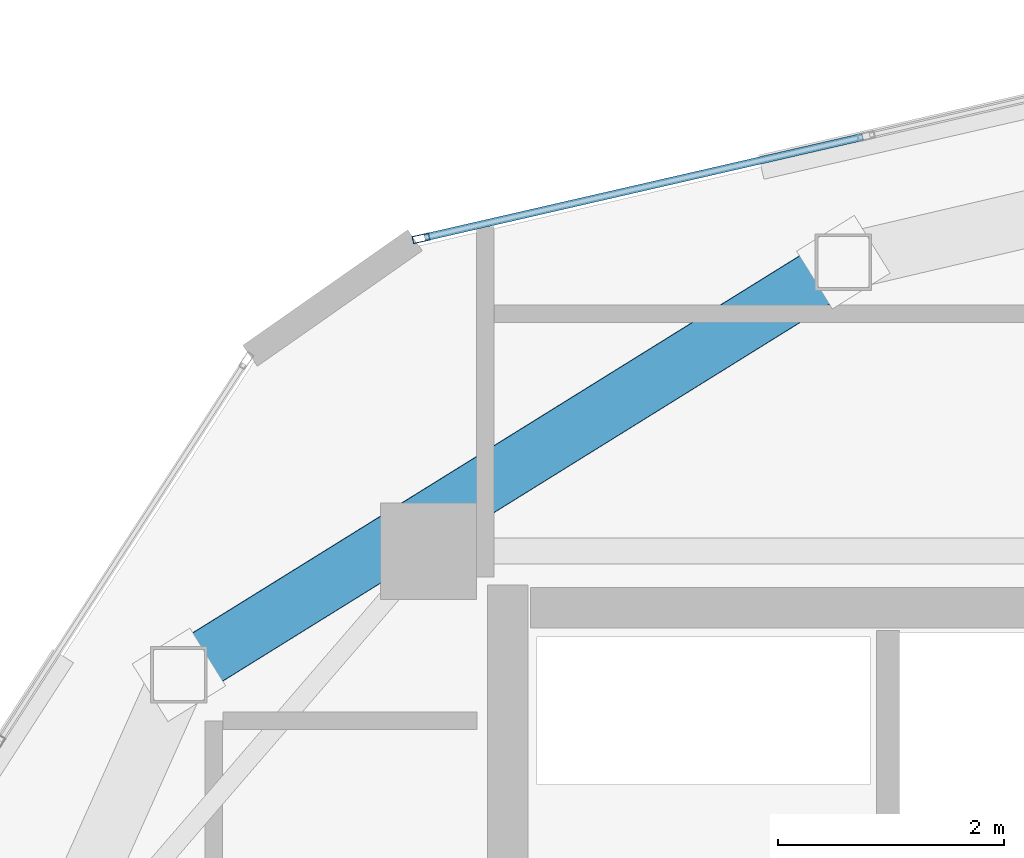
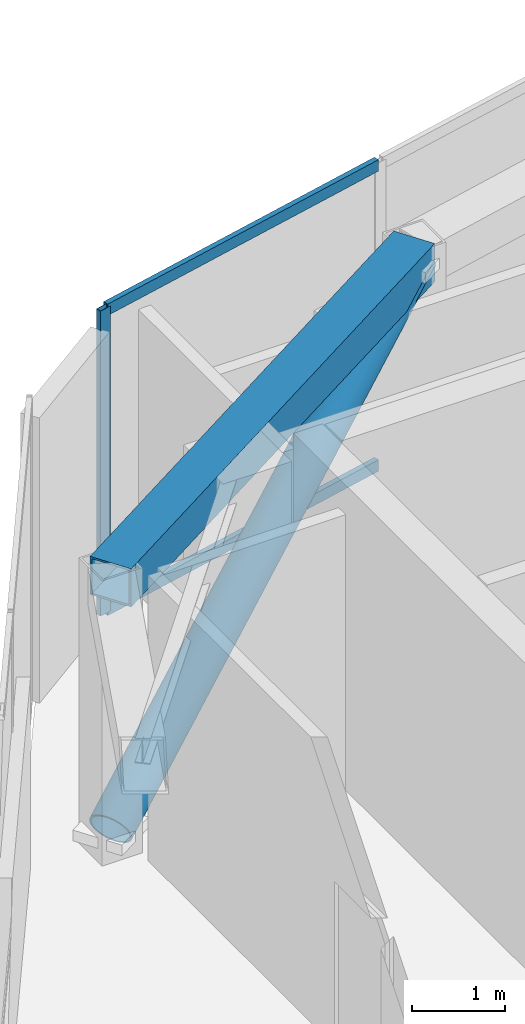
# One storey, part 10 of 21: 4 members, 1 beam, 1 element without a shape of its own.
"""IFC4 building model written with IfcOpenShell, lengths in metres."""

from ifc_helpers import new_model, si_unit, direction, frame, origin, origin_2d, place, context, subcontext, project, spatial, hollow_rectangle, hollow_circle, extrude, source, transform, mapped, material, layer, layer_set, material_profile, profile_set, type_object, type_shapes, element, aggregate, save


model = new_model("IFC4")

# Units and contexts
model_context = context("Model", 3, precision=1e-05, world=origin(), true_north=direction((0.0, 1.0)))
body_context = subcontext(model_context, "Body", "Model", "MODEL_VIEW")
ifc_project = project(units=[si_unit("LENGTHUNIT", "METRE"), si_unit("AREAUNIT", "SQUARE_METRE"), si_unit("VOLUMEUNIT", "CUBIC_METRE"), si_unit("PLANEANGLEUNIT", "RADIAN"), si_unit("MASSUNIT", "GRAM", prefix="KILO")], contexts=[model_context])

# Site, building, storey
site_placement = place(None, origin())
site = spatial("IfcSite", under=ifc_project, at=site_placement, CompositionType="ELEMENT")
building_placement = place(site_placement, origin())
building = spatial("IfcBuilding", under=site, at=building_placement, Name="Talar Marvaseh", CompositionType="ELEMENT")
storey_placement = place(building_placement, frame((0.0, 0.0, 304.0)))
storey = spatial("IfcBuildingStorey", under=building, at=storey_placement, Name="L81", CompositionType="ELEMENT", Elevation=304.0)

# Beam
ifc_material_1 = material(Name="Steel S460", Category="steel")
ifc_material_profile_1 = material_profile(ifc_material_1, hollow_rectangle(XDim=0.5, YDim=0.5, WallThickness=0.02490234375, at=origin_2d()), Name="BOX500x500x25")
ifc_profile_set_1 = profile_set([ifc_material_profile_1], Name="Steel S460")
beam_type = type_object("IfcBeamType", Name="Crown Frame Top Ring Beam BOX500x500x25", PredefinedType="BEAM", material=ifc_profile_set_1)
beam_placement = place(storey_placement, frame((16.493896484375, 35.806884765625, 3.489990234375), z_axis=(0.849439811678, 0.527685518407, 0.0), x_axis=(-0.527685518407, 0.849439811678, 0.0)))
element("IfcBeam", 1, at=beam_placement, inside=storey, type_object=beam_type, Name="L81 Crown Frame Top Ring Beam BOX500x500x25", PredefinedType="BEAM", context=body_context, shape_type="SweptSolid", body=[
    extrude(hollow_rectangle(XDim=0.5, YDim=0.5, WallThickness=0.02490234375, at=origin_2d()), origin(), (0.0, 0.0, 1.0), 6.91162109375),
])

# Member
ifc_material_profile_2 = material_profile(ifc_material_1, hollow_circle(Radius=0.25390625, WallThickness=0.02001953125, at=origin_2d()), Name="CHS508x20")
ifc_profile_set_2 = profile_set([ifc_material_profile_2], Name="Steel S460")
member_type_1 = type_object("IfcMemberType", Name="Crown Frame Diagonal Brace CHS508x20", PredefinedType="BRACE", material=ifc_profile_set_2)
shared_shape_1 = source(origin(), body_context, "Body", "SweptSolid", [
    extrude(hollow_circle(Radius=0.25390625, WallThickness=0.02001953125, at=origin_2d()), origin(), (0.0, 0.0, 1.0), 7.633544921875),
])
type_shapes(member_type_1, [shared_shape_1])
member_1_placement = place(storey_placement, frame((16.493896484375, 35.806884765625, 0.25), z_axis=(0.769127757965, 0.477794393556, 0.424446709745), x_axis=(-0.527685518407, 0.849439811678, 0.0)))
element("IfcMember", 2, at=member_1_placement, inside=storey, type_object=member_type_1, Name="L81 Crown Frame Diagonal Brace 3", PredefinedType="BRACE", context=body_context, shape_type="MappedRepresentation", body=[
    mapped(shared_shape_1, transform((0.0, 0.0, 0.0), x_axis=(1.0, 0.0, 0.0), y_axis=(0.0, 1.0, 0.0), z_axis=(0.0, 0.0, 1.0), scale=1.0)),
])

# Curtain wall, members
ifc_material_2 = material(Name="Architectural Aluminium", Category="aluminium")
ifc_layer = layer(ifc_material_2, 0.2099609375)
ifc_layer_set = layer_set([ifc_layer], Name="Architectural Aluminium")
curtain_wall_type = type_object("IfcCurtainWallType", Name="Crown Plant Acoustic Spandrel Curtain Wall", PredefinedType="NOTDEFINED", material=ifc_layer_set)
curtain_wall_placement = place(storey_placement, origin())
curtain_wall = element("IfcCurtainWall", 3, at=curtain_wall_placement, inside=storey, type_object=curtain_wall_type, Name="L81 Crown Plant Acoustic Spandrel Curtain Wall", PredefinedType="NOTDEFINED")
ifc_material_profile_3 = material_profile(ifc_material_2, hollow_rectangle(XDim=0.06494140625, YDim=0.14990234375, WallThickness=0.00390625, at=origin_2d()), Name="RHS150x65x4")
ifc_profile_set_3 = profile_set([ifc_material_profile_3], Name="Architectural Aluminium")
member_type_2 = type_object("IfcMemberType", Name="Unitised Curtain Wall Slim Transom RHS150x65x4", PredefinedType="USERDEFINED", material=ifc_profile_set_3)
shared_shape_2 = source(origin(), body_context, "Body", "SweptSolid", [
    extrude(hollow_rectangle(XDim=0.06494140625, YDim=0.14990234375, WallThickness=0.00390625, at=origin_2d()), origin(), (0.0, 0.0, 1.0), 3.97119140625),
])
type_shapes(member_type_2, [shared_shape_2])
member_2_placement = place(storey_placement, frame((18.6650390625, 39.672119140625, 0.032470703125), z_axis=(0.974638250657, 0.223786238087, 0.0), x_axis=(-0.223786238087, 0.974638250657, 0.0)))
member_2 = element("IfcMember", 4, at=member_2_placement, type_object=member_type_2, Name="CW-CRN transom 1.1", ObjectType="TRANSOM", PredefinedType="USERDEFINED", context=body_context, shape_type="MappedRepresentation", body=[
    mapped(shared_shape_2, transform((0.0, 0.0, 0.0), x_axis=(1.0, 0.0, 0.0), y_axis=(0.0, 1.0, 0.0), z_axis=(0.0, 0.0, 1.0), scale=1.0)),
])
member_3_placement = place(storey_placement, frame((18.6650390625, 39.672119140625, 3.967529296875), z_axis=(0.974638250657, 0.223786238087, 0.0), x_axis=(-0.223786238087, 0.974638250657, 0.0)))
member_3 = element("IfcMember", 5, at=member_3_placement, type_object=member_type_2, Name="CW-CRN transom 1.2", ObjectType="TRANSOM", PredefinedType="USERDEFINED", context=body_context, shape_type="MappedRepresentation", body=[
    mapped(shared_shape_2, transform((0.0, 0.0, 0.0), x_axis=(1.0, 0.0, 0.0), y_axis=(0.0, 1.0, 0.0), z_axis=(0.0, 0.0, 1.0), scale=1.0)),
])
ifc_material_profile_4 = material_profile(ifc_material_2, hollow_rectangle(XDim=0.06494140625, YDim=0.14990234375, WallThickness=0.00390625, at=origin_2d()), Name="RHS150x65x4")
ifc_profile_set_4 = profile_set([ifc_material_profile_4], Name="Architectural Aluminium")
member_type_3 = type_object("IfcMemberType", Name="Unitised Curtain Wall Slim Mullion RHS150x65x4", PredefinedType="MULLION", material=ifc_profile_set_4)
shared_shape_3 = source(origin(), body_context, "Body", "SweptSolid", [
    extrude(hollow_rectangle(XDim=0.06494140625, YDim=0.14990234375, WallThickness=0.00390625, at=origin_2d()), origin(), (0.0, 0.0, 1.0), 4.0),
])
type_shapes(member_type_3, [shared_shape_3])
member_4_placement = place(storey_placement, frame((18.63330078125, 39.664794921875, 0.0), z_axis=(0.0, 0.0, 1.0), x_axis=(-0.223791926761, 0.974636944465, 0.0)))
member_4 = element("IfcMember", 6, at=member_4_placement, type_object=member_type_3, Name="CW-CRN mullion 1", PredefinedType="MULLION", context=body_context, shape_type="MappedRepresentation", body=[
    mapped(shared_shape_3, transform((0.0, 0.0, 0.0), x_axis=(1.0, 0.0, 0.0), y_axis=(0.0, 1.0, 0.0), z_axis=(0.0, 0.0, 1.0), scale=1.0)),
])
aggregate(curtain_wall, [member_4, member_2, member_3])

save(model, "model.ifc")
